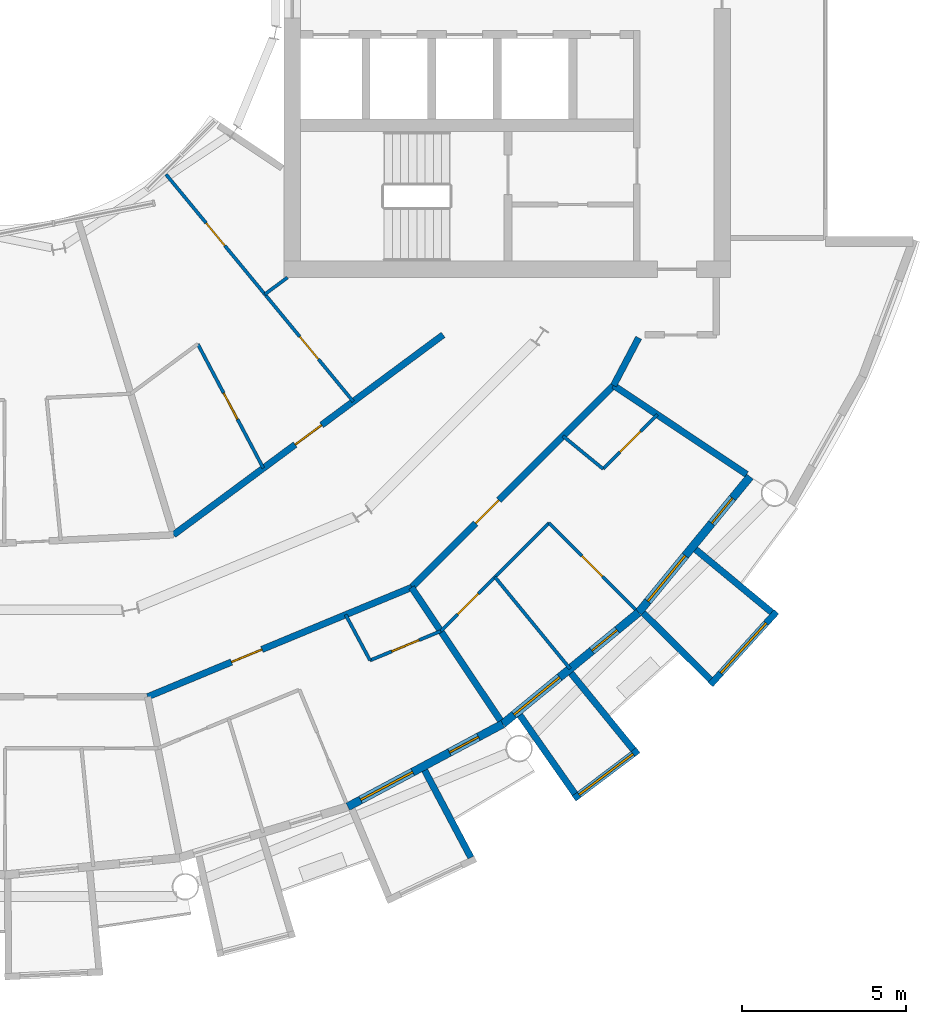
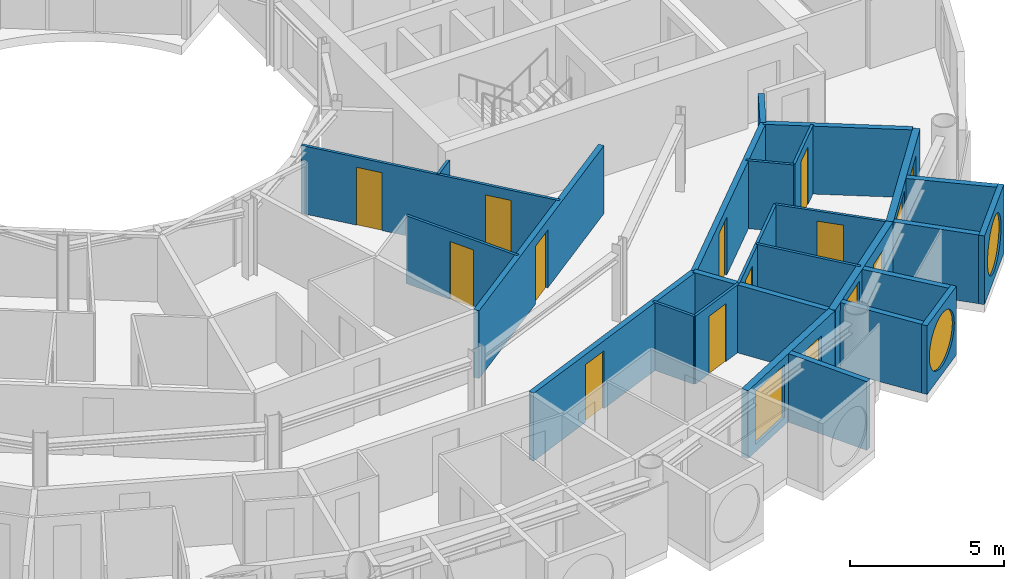
# One storey, part 17 of 27: 26 walls, 13 doors, 5 windows, 18 openings.
"""IFC4 building model written with IfcOpenShell, lengths in metres."""

from ifc_helpers import new_model, si_unit, direction, frame, frame_2d, origin, place, context, subcontext, project, spatial, rectangle, circle, extrude, material, layer, layer_set, type_object, element, fill, save


model = new_model("IFC4")

# Units and contexts
model_context = context("Model", 3, precision=1e-05, world=origin(), true_north=direction((0.0, 1.0)))
body_context = subcontext(model_context, "Body", "Model", "MODEL_VIEW")
ifc_project = project(units=[si_unit("LENGTHUNIT", "METRE"), si_unit("AREAUNIT", "SQUARE_METRE"), si_unit("VOLUMEUNIT", "CUBIC_METRE"), si_unit("PLANEANGLEUNIT", "RADIAN"), si_unit("MASSUNIT", "GRAM", prefix="KILO")], contexts=[model_context])

# Site, building, storey
site_placement = place(None, origin())
site = spatial("IfcSite", under=ifc_project, at=site_placement, CompositionType="ELEMENT")
building_placement = place(site_placement, origin())
building = spatial("IfcBuilding", under=site, at=building_placement, Name="Maasbend Ring Residences", CompositionType="ELEMENT")
storey_placement = place(building_placement, frame((0.0, 0.0, 167.699951171875)))
storey = spatial("IfcBuildingStorey", under=building, at=storey_placement, Name="L48", CompositionType="ELEMENT", Elevation=167.699951171875)

# Wall
ifc_material_1 = material(Name="Concrete C30/37", Category="concrete")
ifc_layer_1 = layer(ifc_material_1, 0.199951171875)
ifc_layer_set_1 = layer_set([ifc_layer_1], Name="Concrete C30/37")
wall_type_1 = type_object("IfcWallType", Name="CORRIDOR WALL 200 CONCRETE", PredefinedType="PARTITIONING", material=ifc_layer_set_1)
wall_1_placement = place(storey_placement, frame((18.5419921875, -12.388916015625, 0.0), z_axis=(0.0, 0.0, 1.0), x_axis=(0.465605550524, 0.884992356646, 0.0)))
element("IfcWall", 1, at=wall_1_placement, inside=storey, type_object=wall_type_1, Name="U-L48-w012", PredefinedType="PARTITIONING", context=body_context, shape_type="SweptSolid", body=[
    extrude(rectangle(XDim=1.642822265625, YDim=0.199951171875, at=frame_2d((0.8212890625, 0.0))), origin(), (0.0, 0.0, 1.0), 2.699951171875),
])

# Wall, opening, door
wall_2_placement = place(storey_placement, frame((4.35107421875, -21.8720703125, 0.0), z_axis=(0.0, 0.0, 1.0), x_axis=(0.923825356298, 0.382814199136, 0.0)))
wall_2 = element("IfcWall", 2, at=wall_2_placement, inside=storey, type_object=wall_type_1, Name="U-L48-w016", PredefinedType="PARTITIONING", context=body_context, shape_type="SweptSolid", body=[
    extrude(rectangle(XDim=8.7041015625, YDim=0.199951171875, at=frame_2d((4.35205078125, 0.0))), origin(), (0.0, 0.0, 1.0), 2.699951171875),
])
opening_1_placement = place(wall_2_placement, frame((2.762939453125, 0.0, 0.0)))
opening_1 = element("IfcOpeningElement", 3, at=opening_1_placement, cuts=wall_2, Name="Opening D-4846", PredefinedType="OPENING", context=body_context, shape_type="SweptSolid", body=[
    extrude(rectangle(XDim=1.0, YDim=2.300048828125, at=frame_2d((0.5, 1.14990234375))), frame((0.0, 0.10986328125, 0.0), z_axis=(0.0, -1.0, 0.0), x_axis=(1.0, 0.0, 0.0)), (0.0, 0.0, 1.0), 0.219970703125),
])
ifc_material_2 = material(Name="Timber, fire-rated, painted", Category="wood")
door_type_1 = type_object("IfcDoorType", Name="FLAT ENTRANCE DOOR 1000 X 2300 FIRE-RATED", OperationType="NOTDEFINED", PredefinedType="DOOR", material=ifc_material_2)
door_1_placement = place(opening_1_placement, origin())
door_1 = element("IfcDoor", 4, at=door_1_placement, inside=storey, type_object=door_type_1, Name="D-4846", OperationType="SINGLE_SWING_LEFT", OverallHeight=2.300048828125, OverallWidth=1.0, PredefinedType="DOOR", context=body_context, shape_type="SweptSolid", body=[
    extrude(rectangle(XDim=1.0, YDim=2.300048828125, at=frame_2d((0.5, 1.14990234375))), frame((0.0, 0.02490234375, 0.0), z_axis=(0.0, -1.0, 0.0), x_axis=(1.0, 0.0, 0.0)), (0.0, 0.0, 1.0), 0.050048828125),
])
fill(opening_1, door_1)

wall_3_placement = place(storey_placement, frame((12.388916015625, -18.5419921875, 0.0), z_axis=(0.0, 0.0, 1.0), x_axis=(0.707106781187, 0.707106781187, 0.0)))
wall_3 = element("IfcWall", 5, at=wall_3_placement, inside=storey, type_object=wall_type_1, Name="U-L48-w017", PredefinedType="PARTITIONING", context=body_context, shape_type="SweptSolid", body=[
    extrude(rectangle(XDim=8.70166015625, YDim=0.199951171875, at=frame_2d((4.350830078125, 0.0))), origin(), (0.0, 0.0, 1.0), 2.699951171875),
])
opening_2_placement = place(wall_3_placement, frame((2.762939453125, 0.0, 0.0)))
opening_2 = element("IfcOpeningElement", 6, at=opening_2_placement, cuts=wall_3, Name="Opening D-4850", PredefinedType="OPENING", context=body_context, shape_type="SweptSolid", body=[
    extrude(rectangle(XDim=1.0, YDim=2.300048828125, at=frame_2d((0.5, 1.14990234375))), frame((0.0, 0.10986328125, 0.0), z_axis=(0.0, -1.0, 0.0), x_axis=(1.0, 0.0, 0.0)), (0.0, 0.0, 1.0), 0.219970703125),
])
door_2_placement = place(opening_2_placement, origin())
door_2 = element("IfcDoor", 7, at=door_2_placement, inside=storey, type_object=door_type_1, Name="D-4850", OperationType="SINGLE_SWING_LEFT", OverallHeight=2.300048828125, OverallWidth=1.0, PredefinedType="DOOR", context=body_context, shape_type="SweptSolid", body=[
    extrude(rectangle(XDim=1.0, YDim=2.300048828125, at=frame_2d((0.5, 1.14990234375))), frame((0.0, 0.02490234375, 0.0), z_axis=(0.0, -1.0, 0.0), x_axis=(1.0, 0.0, 0.0)), (0.0, 0.0, 1.0), 0.050048828125),
])
fill(opening_2, door_2)

wall_4_placement = place(storey_placement, frame((5.136962890625, -16.93798828125, 0.0), z_axis=(0.0, 0.0, 1.0), x_axis=(0.803229232922, 0.595670042371, 0.0)))
wall_4 = element("IfcWall", 8, at=wall_4_placement, inside=storey, type_object=wall_type_1, Name="U-L48-w021", PredefinedType="PARTITIONING", context=body_context, shape_type="SweptSolid", body=[
    extrude(rectangle(XDim=10.223876953125, YDim=0.199951171875, at=frame_2d((5.11181640625, 0.0))), origin(), (0.0, 0.0, 1.0), 2.699951171875),
])
opening_3_placement = place(wall_4_placement, frame((4.612060546875, 0.0, 0.0)))
opening_3 = element("IfcOpeningElement", 9, at=opening_3_placement, cuts=wall_4, Name="Opening D-4861", PredefinedType="OPENING", context=body_context, shape_type="SweptSolid", body=[
    extrude(rectangle(XDim=1.0, YDim=2.300048828125, at=frame_2d((0.5, 1.14990234375))), frame((0.0, 0.10986328125, 0.0), z_axis=(0.0, -1.0, 0.0), x_axis=(1.0, 0.0, 0.0)), (0.0, 0.0, 1.0), 0.219970703125),
])
door_3_placement = place(opening_3_placement, origin())
door_3 = element("IfcDoor", 10, at=door_3_placement, inside=storey, type_object=door_type_1, Name="D-4861", OperationType="SINGLE_SWING_RIGHT", OverallHeight=2.300048828125, OverallWidth=1.0, PredefinedType="DOOR", context=body_context, shape_type="SweptSolid", body=[
    extrude(rectangle(XDim=1.0, YDim=2.300048828125, at=frame_2d((0.5, 1.14990234375))), frame((0.0, 0.02490234375, 0.0), z_axis=(0.0, -1.0, 0.0), x_axis=(1.0, 0.0, 0.0)), (0.0, 0.0, 1.0), 0.050048828125),
])
fill(opening_3, door_3)

# Wall
ifc_material_3 = material(Name="Pale anodised aluminium panel", Category="aluminium")
ifc_layer_2 = layer(ifc_material_3, 0.199951171875)
ifc_layer_set_2 = layer_set([ifc_layer_2], Name="EW-BOX")
wall_type_2 = type_object("IfcWallType", Name="EW-BOX", PredefinedType="SOLIDWALL", material=ifc_layer_set_2)
wall_5_placement = place(storey_placement, frame((12.787109375, -24.113037109375, -0.030029296875), z_axis=(0.0, 0.0, 1.0), x_axis=(0.468365282436, -0.883534924159, 0.0)))
element("IfcWall", 11, at=wall_5_placement, inside=storey, type_object=wall_type_2, Name="Box side wall S15 right", PredefinedType="SOLIDWALL", context=body_context, shape_type="SweptSolid", body=[
    extrude(rectangle(XDim=3.006103515625, YDim=0.199951171875, at=frame_2d((1.5029296875, 0.0))), origin(), (0.0, 0.0, 1.0), 2.72998046875),
])

# Wall, opening, window
wall_6_placement = place(storey_placement, frame((17.3369140625, -24.971923828125, -0.030029296875), z_axis=(0.0, 0.0, 1.0), x_axis=(0.797887588059, 0.602806268067, 0.0)))
wall_6 = element("IfcWall", 12, at=wall_6_placement, inside=storey, type_object=wall_type_2, Name="Box front S17", PredefinedType="SOLIDWALL", context=body_context, shape_type="SweptSolid", body=[
    extrude(rectangle(XDim=2.446533203125, YDim=0.199951171875, at=frame_2d((1.22314453125, 0.0))), origin(), (0.0, 0.0, 1.0), 2.72998046875),
])
opening_4_placement = place(wall_6_placement, frame((0.182861328125, 0.0, 0.330078125)))
opening_4 = element("IfcOpeningElement", 13, at=opening_4_placement, cuts=wall_6, Name="Opening W-RD", PredefinedType="OPENING", context=body_context, shape_type="SweptSolid", body=[
    extrude(circle(Radius=1.0400390625, at=frame_2d((1.0400390625, 1.0400390625))), frame((0.0, 0.10986328125, 0.0), z_axis=(0.0, -1.0, 0.0), x_axis=(1.0, 0.0, 0.0)), (0.0, 0.0, 1.0), 0.219970703125),
])
ifc_material_4 = material(Name="Aluminium and clear glass", Category="aluminium")
window_type_1 = type_object("IfcWindowType", Name="W-RD", PartitioningType="SINGLE_PANEL", PredefinedType="WINDOW", material=ifc_material_4)
window_1_placement = place(opening_4_placement, origin())
window_1 = element("IfcWindow", 14, at=window_1_placement, inside=storey, type_object=window_type_1, Name="Round window S17", OverallHeight=2.080078125, OverallWidth=2.080078125, PartitioningType="SINGLE_PANEL", PredefinedType="WINDOW", context=body_context, shape_type="SweptSolid", body=[
    extrude(circle(Radius=1.0400390625, at=frame_2d((1.0400390625, 1.0400390625))), frame((0.0, 0.030029296875, 0.0), z_axis=(0.0, -1.0, 0.0), x_axis=(1.0, 0.0, 0.0)), (0.0, 0.0, 1.0), 0.06005859375),
])
fill(opening_4, window_1)

# Walls
wall_7_placement = place(storey_placement, frame((15.68798828125, -22.43310546875, -0.030029296875), z_axis=(0.0, 0.0, 1.0), x_axis=(0.573260687834, -0.819373043115, 0.0)))
element("IfcWall", 15, at=wall_7_placement, inside=storey, type_object=wall_type_2, Name="Box side wall S17 left", PredefinedType="SOLIDWALL", context=body_context, shape_type="SweptSolid", body=[
    extrude(rectangle(XDim=2.92529296875, YDim=0.199951171875, at=frame_2d((1.462646484375, 0.0))), origin(), (0.0, 0.0, 1.0), 2.72998046875),
])
wall_8_placement = place(storey_placement, frame((17.24609375, -21.155029296875, -0.030029296875), z_axis=(0.0, 0.0, 1.0), x_axis=(0.631741648902, -0.775179004516, 0.0)))
element("IfcWall", 16, at=wall_8_placement, inside=storey, type_object=wall_type_2, Name="Box side wall S17 right", PredefinedType="SOLIDWALL", context=body_context, shape_type="SweptSolid", body=[
    extrude(rectangle(XDim=3.005859375, YDim=0.199951171875, at=frame_2d((1.5029296875, 0.0))), origin(), (0.0, 0.0, 1.0), 2.72998046875),
])

# Wall, opening, window
wall_9_placement = place(storey_placement, frame((21.492919921875, -21.5, -0.030029296875), z_axis=(0.0, 0.0, 1.0), x_axis=(0.671506829416, 0.740998365753, 0.0)))
wall_9 = element("IfcWall", 17, at=wall_9_placement, inside=storey, type_object=wall_type_2, Name="Box front S19", PredefinedType="SOLIDWALL", context=body_context, shape_type="SweptSolid", body=[
    extrude(rectangle(XDim=2.9931640625, YDim=0.199951171875, at=frame_2d((1.49658203125, 0.0))), origin(), (0.0, 0.0, 1.0), 2.72998046875),
])
opening_5_placement = place(wall_9_placement, frame((0.45654296875, 0.0, 0.330078125)))
opening_5 = element("IfcOpeningElement", 18, at=opening_5_placement, cuts=wall_9, Name="Opening W-RD", PredefinedType="OPENING", context=body_context, shape_type="SweptSolid", body=[
    extrude(circle(Radius=1.0400390625, at=frame_2d((1.0400390625, 1.0400390625))), frame((0.0, 0.10986328125, 0.0), z_axis=(0.0, -1.0, 0.0), x_axis=(1.0, 0.0, 0.0)), (0.0, 0.0, 1.0), 0.219970703125),
])
window_2_placement = place(opening_5_placement, origin())
window_2 = element("IfcWindow", 19, at=window_2_placement, inside=storey, type_object=window_type_1, Name="Round window S19", OverallHeight=2.080078125, OverallWidth=2.080078125, PartitioningType="SINGLE_PANEL", PredefinedType="WINDOW", context=body_context, shape_type="SweptSolid", body=[
    extrude(circle(Radius=1.0400390625, at=frame_2d((1.0400390625, 1.0400390625))), frame((0.0, 0.030029296875, 0.0), z_axis=(0.0, -1.0, 0.0), x_axis=(1.0, 0.0, 0.0)), (0.0, 0.0, 1.0), 0.06005859375),
])
fill(opening_5, window_2)

# Walls
wall_10_placement = place(storey_placement, frame((19.449951171875, -19.322998046875, -0.030029296875), z_axis=(0.0, 0.0, 1.0), x_axis=(0.709727076896, -0.704476739375, 0.0)))
element("IfcWall", 20, at=wall_10_placement, inside=storey, type_object=wall_type_2, Name="Box side wall S19 left", PredefinedType="SOLIDWALL", context=body_context, shape_type="SweptSolid", body=[
    extrude(rectangle(XDim=2.883056640625, YDim=0.199951171875, at=frame_2d((1.44140625, 0.0))), origin(), (0.0, 0.0, 1.0), 2.72998046875),
])
wall_11_placement = place(storey_placement, frame((21.041015625, -17.384033203125, -0.030029296875), z_axis=(0.0, 0.0, 1.0), x_axis=(0.770784861449, -0.63709551667, 0.0)))
element("IfcWall", 21, at=wall_11_placement, inside=storey, type_object=wall_type_2, Name="Box side wall S19 right", PredefinedType="SOLIDWALL", context=body_context, shape_type="SweptSolid", body=[
    extrude(rectangle(XDim=3.005859375, YDim=0.199951171875, at=frame_2d((1.5029296875, 0.0))), origin(), (0.0, 0.0, 1.0), 2.72998046875),
])

# Wall, openings, door, window
ifc_material_5 = material(Name="Aluminium clad insulated panel", Category="aluminium")
ifc_layer_3 = layer(ifc_material_5, 0.25)
ifc_layer_set_3 = layer_set([ifc_layer_3], Name="EW-GL")
wall_type_3 = type_object("IfcWallType", Name="EW-GL", PredefinedType="SOLIDWALL", material=ifc_layer_set_3)
wall_12_placement = place(storey_placement, frame((10.447021484375, -25.221923828125, 0.0), z_axis=(0.0, 0.0, 1.0), x_axis=(0.881915646801, 0.471407246368, 0.0)))
wall_12 = element("IfcWall", 22, at=wall_12_placement, inside=storey, type_object=wall_type_3, Name="External wall S08", PredefinedType="SOLIDWALL", context=body_context, shape_type="SweptSolid", body=[
    extrude(rectangle(XDim=5.35205078125, YDim=0.25, at=frame_2d((2.676025390625, 0.0))), origin(), (0.0, 0.0, 1.0), 2.699951171875),
])
opening_6_placement = place(wall_12_placement, frame((0.441162109375, 0.0, 0.300048828125)))
opening_6 = element("IfcOpeningElement", 23, at=opening_6_placement, cuts=wall_12, Name="Opening W-BX", PredefinedType="OPENING", context=body_context, shape_type="SweptSolid", body=[
    extrude(rectangle(XDim=1.800048828125, YDim=2.10009765625, at=frame_2d((0.89990234375, 1.050048828125))), frame((0.0, 0.135009765625, 0.0), z_axis=(0.0, -1.0, 0.0), x_axis=(1.0, 0.0, 0.0)), (0.0, 0.0, 1.0), 0.27001953125),
])
opening_7_placement = place(wall_12_placement, frame((3.510498046875, 0.0, 0.0)))
opening_7 = element("IfcOpeningElement", 24, at=opening_7_placement, cuts=wall_12, Name="Opening D-LG", PredefinedType="OPENING", context=body_context, shape_type="SweptSolid", body=[
    extrude(rectangle(XDim=1.0, YDim=2.199951171875, at=frame_2d((0.5, 1.10009765625))), frame((0.0, 0.135009765625, 0.0), z_axis=(0.0, -1.0, 0.0), x_axis=(1.0, 0.0, 0.0)), (0.0, 0.0, 1.0), 0.27001953125),
])
ifc_material_6 = material(Name="Aluminium and clear glass", Category="aluminium")
door_type_2 = type_object("IfcDoorType", Name="D-LG", OperationType="SINGLE_SWING_LEFT", PredefinedType="DOOR", material=ifc_material_6)
door_4_placement = place(opening_7_placement, origin())
door_4 = element("IfcDoor", 25, at=door_4_placement, inside=storey, type_object=door_type_2, Name="Loggia door S16", OperationType="SINGLE_SWING_LEFT", OverallHeight=2.199951171875, OverallWidth=1.0, PredefinedType="DOOR", context=body_context, shape_type="SweptSolid", body=[
    extrude(rectangle(XDim=1.0, YDim=2.199951171875, at=frame_2d((0.5, 1.10009765625))), frame((0.0, 0.02490234375, 0.0), z_axis=(0.0, -1.0, 0.0), x_axis=(1.0, 0.0, 0.0)), (0.0, 0.0, 1.0), 0.050048828125),
])
fill(opening_7, door_4)
ifc_material_7 = material(Name="Aluminium and clear glass", Category="aluminium")
window_type_2 = type_object("IfcWindowType", Name="W-BX", PartitioningType="DOUBLE_PANEL_VERTICAL", PredefinedType="WINDOW", material=ifc_material_7)
window_3_placement = place(opening_6_placement, origin())
window_3 = element("IfcWindow", 26, at=window_3_placement, inside=storey, type_object=window_type_2, Name="Window S15 room to box", OverallHeight=2.10009765625, OverallWidth=1.800048828125, PartitioningType="SINGLE_PANEL", PredefinedType="WINDOW", context=body_context, shape_type="SweptSolid", body=[
    extrude(rectangle(XDim=1.800048828125, YDim=2.10009765625, at=frame_2d((0.89990234375, 1.050048828125))), frame((0.0, 0.030029296875, 0.0), z_axis=(0.0, -1.0, 0.0), x_axis=(1.0, 0.0, 0.0)), (0.0, 0.0, 1.0), 0.06005859375),
])
fill(opening_6, window_3)

wall_13_placement = place(storey_placement, frame((15.1669921875, -22.698974609375, 0.0), z_axis=(0.0, 0.0, 1.0), x_axis=(0.773019449054, 0.634382322723, 0.0)))
wall_13 = element("IfcWall", 27, at=wall_13_placement, inside=storey, type_object=wall_type_3, Name="External wall S09", PredefinedType="SOLIDWALL", context=body_context, shape_type="SweptSolid", body=[
    extrude(rectangle(XDim=5.351806640625, YDim=0.25, at=frame_2d((2.67578125, 0.0))), origin(), (0.0, 0.0, 1.0), 2.699951171875),
])
opening_8_placement = place(wall_13_placement, frame((0.441162109375, 0.0, 0.300048828125)))
opening_8 = element("IfcOpeningElement", 28, at=opening_8_placement, cuts=wall_13, Name="Opening W-BX", PredefinedType="OPENING", context=body_context, shape_type="SweptSolid", body=[
    extrude(rectangle(XDim=1.800048828125, YDim=2.10009765625, at=frame_2d((0.89990234375, 1.050048828125))), frame((0.0, 0.135009765625, 0.0), z_axis=(0.0, -1.0, 0.0), x_axis=(1.0, 0.0, 0.0)), (0.0, 0.0, 1.0), 0.27001953125),
])
opening_9_placement = place(wall_13_placement, frame((3.510498046875, 0.0, 0.0)))
opening_9 = element("IfcOpeningElement", 29, at=opening_9_placement, cuts=wall_13, Name="Opening D-LG", PredefinedType="OPENING", context=body_context, shape_type="SweptSolid", body=[
    extrude(rectangle(XDim=1.0, YDim=2.199951171875, at=frame_2d((0.5, 1.10009765625))), frame((0.0, 0.135009765625, 0.0), z_axis=(0.0, -1.0, 0.0), x_axis=(1.0, 0.0, 0.0)), (0.0, 0.0, 1.0), 0.27001953125),
])
door_5_placement = place(opening_9_placement, origin())
door_5 = element("IfcDoor", 30, at=door_5_placement, inside=storey, type_object=door_type_2, Name="Loggia door S18", OperationType="SINGLE_SWING_LEFT", OverallHeight=2.199951171875, OverallWidth=1.0, PredefinedType="DOOR", context=body_context, shape_type="SweptSolid", body=[
    extrude(rectangle(XDim=1.0, YDim=2.199951171875, at=frame_2d((0.5, 1.10009765625))), frame((0.0, 0.02490234375, 0.0), z_axis=(0.0, -1.0, 0.0), x_axis=(1.0, 0.0, 0.0)), (0.0, 0.0, 1.0), 0.050048828125),
])
fill(opening_9, door_5)
window_4_placement = place(opening_8_placement, origin())
window_4 = element("IfcWindow", 31, at=window_4_placement, inside=storey, type_object=window_type_2, Name="Window S17 room to box", OverallHeight=2.10009765625, OverallWidth=1.800048828125, PartitioningType="SINGLE_PANEL", PredefinedType="WINDOW", context=body_context, shape_type="SweptSolid", body=[
    extrude(rectangle(XDim=1.800048828125, YDim=2.10009765625, at=frame_2d((0.89990234375, 1.050048828125))), frame((0.0, 0.030029296875, 0.0), z_axis=(0.0, -1.0, 0.0), x_axis=(1.0, 0.0, 0.0)), (0.0, 0.0, 1.0), 0.06005859375),
])
fill(opening_8, window_4)

wall_14_placement = place(storey_placement, frame((19.303955078125, -19.303955078125, 0.0), z_axis=(0.0, 0.0, 1.0), x_axis=(0.634382322723, 0.773019449054, 0.0)))
wall_14 = element("IfcWall", 32, at=wall_14_placement, inside=storey, type_object=wall_type_3, Name="External wall S10", PredefinedType="SOLIDWALL", context=body_context, shape_type="SweptSolid", body=[
    extrude(rectangle(XDim=5.351806640625, YDim=0.25, at=frame_2d((2.67578125, 0.0))), origin(), (0.0, 0.0, 1.0), 2.699951171875),
])
opening_10_placement = place(wall_14_placement, frame((0.441162109375, 0.0, 0.300048828125)))
opening_10 = element("IfcOpeningElement", 33, at=opening_10_placement, cuts=wall_14, Name="Opening W-BX", PredefinedType="OPENING", context=body_context, shape_type="SweptSolid", body=[
    extrude(rectangle(XDim=1.800048828125, YDim=2.10009765625, at=frame_2d((0.89990234375, 1.050048828125))), frame((0.0, 0.135009765625, 0.0), z_axis=(0.0, -1.0, 0.0), x_axis=(1.0, 0.0, 0.0)), (0.0, 0.0, 1.0), 0.27001953125),
])
opening_11_placement = place(wall_14_placement, frame((3.510498046875, 0.0, 0.0)))
opening_11 = element("IfcOpeningElement", 34, at=opening_11_placement, cuts=wall_14, Name="Opening D-LG", PredefinedType="OPENING", context=body_context, shape_type="SweptSolid", body=[
    extrude(rectangle(XDim=1.0, YDim=2.199951171875, at=frame_2d((0.5, 1.10009765625))), frame((0.0, 0.135009765625, 0.0), z_axis=(0.0, -1.0, 0.0), x_axis=(1.0, 0.0, 0.0)), (0.0, 0.0, 1.0), 0.27001953125),
])
door_6_placement = place(opening_11_placement, origin())
door_6 = element("IfcDoor", 35, at=door_6_placement, inside=storey, type_object=door_type_2, Name="Loggia door S20", OperationType="SINGLE_SWING_LEFT", OverallHeight=2.199951171875, OverallWidth=1.0, PredefinedType="DOOR", context=body_context, shape_type="SweptSolid", body=[
    extrude(rectangle(XDim=1.0, YDim=2.199951171875, at=frame_2d((0.5, 1.10009765625))), frame((0.0, 0.02490234375, 0.0), z_axis=(0.0, -1.0, 0.0), x_axis=(1.0, 0.0, 0.0)), (0.0, 0.0, 1.0), 0.050048828125),
])
fill(opening_11, door_6)
window_5_placement = place(opening_10_placement, origin())
window_5 = element("IfcWindow", 36, at=window_5_placement, inside=storey, type_object=window_type_2, Name="Window S19 room to box", OverallHeight=2.10009765625, OverallWidth=1.800048828125, PartitioningType="SINGLE_PANEL", PredefinedType="WINDOW", context=body_context, shape_type="SweptSolid", body=[
    extrude(rectangle(XDim=1.800048828125, YDim=2.10009765625, at=frame_2d((0.89990234375, 1.050048828125))), frame((0.0, 0.030029296875, 0.0), z_axis=(0.0, -1.0, 0.0), x_axis=(1.0, 0.0, 0.0)), (0.0, 0.0, 1.0), 0.06005859375),
])
fill(opening_10, window_5)

# Wall, opening, door
ifc_material_8 = material(Name="Gypsum board on steel studs", Category="steel")
ifc_layer_4 = layer(ifc_material_8, 0.10009765625)
ifc_layer_set_4 = layer_set([ifc_layer_4], Name="PARTITION 100 GYPSUM")
wall_type_4 = type_object("IfcWallType", Name="PARTITION 100 GYPSUM", PredefinedType="PARTITIONING", material=ifc_layer_set_4)
wall_15_placement = place(storey_placement, frame((11.1240234375, -20.763916015625, 0.0), z_axis=(0.0, 0.0, 1.0), x_axis=(0.923938991376, 0.382539854414, 0.0)))
wall_15 = element("IfcWall", 37, at=wall_15_placement, inside=storey, type_object=wall_type_4, Name="U-L48-w008", PredefinedType="PARTITIONING", context=body_context, shape_type="SweptSolid", body=[
    extrude(rectangle(XDim=2.331298828125, YDim=0.10009765625, at=frame_2d((1.16552734375, 0.0))), origin(), (0.0, 0.0, 1.0), 2.699951171875),
])
opening_12_placement = place(wall_15_placement, frame((0.716064453125, 0.0, 0.0)))
opening_12 = element("IfcOpeningElement", 38, at=opening_12_placement, cuts=wall_15, Name="Opening D-4847", PredefinedType="OPENING", context=body_context, shape_type="SweptSolid", body=[
    extrude(rectangle(XDim=0.89990234375, YDim=2.300048828125, at=frame_2d((0.449951171875, 1.14990234375))), frame((0.0, 0.06005859375, 0.0), z_axis=(0.0, -1.0, 0.0), x_axis=(1.0, 0.0, 0.0)), (0.0, 0.0, 1.0), 0.1201171875),
])
ifc_material_9 = material(Name="Timber, painted", Category="wood")
door_type_3 = type_object("IfcDoorType", Name="INTERNAL DOOR 900 X 2300", OperationType="NOTDEFINED", PredefinedType="DOOR", material=ifc_material_9)
door_7_placement = place(opening_12_placement, origin())
door_7 = element("IfcDoor", 39, at=door_7_placement, inside=storey, type_object=door_type_3, Name="D-4847", OperationType="SINGLE_SWING_RIGHT", OverallHeight=2.300048828125, OverallWidth=0.89990234375, PredefinedType="DOOR", context=body_context, shape_type="SweptSolid", body=[
    extrude(rectangle(XDim=0.89990234375, YDim=2.300048828125, at=frame_2d((0.449951171875, 1.14990234375))), frame((0.0, 0.02490234375, 0.0), z_axis=(0.0, -1.0, 0.0), x_axis=(1.0, 0.0, 0.0)), (0.0, 0.0, 1.0), 0.050048828125),
])
fill(opening_12, door_7)

wall_16_placement = place(storey_placement, frame((13.284912109375, -19.868896484375, 0.0), z_axis=(0.0, 0.0, 1.0), x_axis=(0.706923494552, 0.707290020325, 0.0)))
wall_16 = element("IfcWall", 40, at=wall_16_placement, inside=storey, type_object=wall_type_4, Name="U-L48-w009", PredefinedType="PARTITIONING", context=body_context, shape_type="SweptSolid", body=[
    extrude(rectangle(XDim=4.66259765625, YDim=0.10009765625, at=frame_2d((2.331298828125, 0.0))), origin(), (0.0, 0.0, 1.0), 2.699951171875),
])
opening_13_placement = place(wall_16_placement, frame((0.7119140625, 0.0, 0.0)))
opening_13 = element("IfcOpeningElement", 41, at=opening_13_placement, cuts=wall_16, Name="Opening D-4853", PredefinedType="OPENING", context=body_context, shape_type="SweptSolid", body=[
    extrude(rectangle(XDim=0.89990234375, YDim=2.300048828125, at=frame_2d((0.449951171875, 1.14990234375))), frame((0.0, 0.06005859375, 0.0), z_axis=(0.0, -1.0, 0.0), x_axis=(1.0, 0.0, 0.0)), (0.0, 0.0, 1.0), 0.1201171875),
])
door_8_placement = place(opening_13_placement, origin())
door_8 = element("IfcDoor", 42, at=door_8_placement, inside=storey, type_object=door_type_3, Name="D-4853", OperationType="SINGLE_SWING_LEFT", OverallHeight=2.300048828125, OverallWidth=0.89990234375, PredefinedType="DOOR", context=body_context, shape_type="SweptSolid", body=[
    extrude(rectangle(XDim=0.89990234375, YDim=2.300048828125, at=frame_2d((0.449951171875, 1.14990234375))), frame((0.0, 0.02490234375, 0.0), z_axis=(0.0, -1.0, 0.0), x_axis=(1.0, 0.0, 0.0)), (0.0, 0.0, 1.0), 0.050048828125),
])
fill(opening_13, door_8)

wall_17_placement = place(storey_placement, frame((18.22412109375, -14.927001953125, 0.0), z_axis=(0.0, 0.0, 1.0), x_axis=(0.706897299114, 0.707316201218, 0.0)))
wall_17 = element("IfcWall", 43, at=wall_17_placement, inside=storey, type_object=wall_type_4, Name="U-L48-w010", PredefinedType="PARTITIONING", context=body_context, shape_type="SweptSolid", body=[
    extrude(rectangle(XDim=2.331298828125, YDim=0.10009765625, at=frame_2d((1.16552734375, 0.0))), origin(), (0.0, 0.0, 1.0), 2.699951171875),
])
opening_14_placement = place(wall_17_placement, frame((0.716064453125, 0.0, 0.0)))
opening_14 = element("IfcOpeningElement", 44, at=opening_14_placement, cuts=wall_17, Name="Opening D-4851", PredefinedType="OPENING", context=body_context, shape_type="SweptSolid", body=[
    extrude(rectangle(XDim=0.89990234375, YDim=2.300048828125, at=frame_2d((0.449951171875, 1.14990234375))), frame((0.0, 0.06005859375, 0.0), z_axis=(0.0, -1.0, 0.0), x_axis=(1.0, 0.0, 0.0)), (0.0, 0.0, 1.0), 0.1201171875),
])
door_9_placement = place(opening_14_placement, origin())
door_9 = element("IfcDoor", 45, at=door_9_placement, inside=storey, type_object=door_type_3, Name="D-4851", OperationType="SINGLE_SWING_RIGHT", OverallHeight=2.300048828125, OverallWidth=0.89990234375, PredefinedType="DOOR", context=body_context, shape_type="SweptSolid", body=[
    extrude(rectangle(XDim=0.89990234375, YDim=2.300048828125, at=frame_2d((0.449951171875, 1.14990234375))), frame((0.0, 0.02490234375, 0.0), z_axis=(0.0, -1.0, 0.0), x_axis=(1.0, 0.0, 0.0)), (0.0, 0.0, 1.0), 0.050048828125),
])
fill(opening_14, door_9)

# Wall
wall_18_placement = place(storey_placement, frame((7.9189453125, -9.611083984375, 0.0), z_axis=(0.0, 0.0, 1.0), x_axis=(0.803199066515, 0.595710718007, 0.0)))
element("IfcWall", 46, at=wall_18_placement, inside=storey, type_object=wall_type_4, Name="U-L48-w026", PredefinedType="PARTITIONING", context=body_context, shape_type="SweptSolid", body=[
    extrude(rectangle(XDim=0.857666015625, YDim=0.10009765625, at=frame_2d((0.4287109375, 0.0))), origin(), (0.0, 0.0, 1.0), 2.699951171875),
])

# Wall, openings, doors
wall_19_placement = place(storey_placement, frame((4.907958984375, -5.958984375, 0.0), z_axis=(0.0, 0.0, 1.0), x_axis=(0.636115614725, -0.771593756262, 0.0)))
wall_19 = element("IfcWall", 47, at=wall_19_placement, inside=storey, type_object=wall_type_4, Name="U-L48-w075", PredefinedType="PARTITIONING", context=body_context, shape_type="SweptSolid", body=[
    extrude(rectangle(XDim=8.967041015625, YDim=0.10009765625, at=frame_2d((4.4833984375, 0.0))), origin(), (0.0, 0.0, 1.0), 2.699951171875),
])
opening_15_placement = place(wall_19_placement, frame((6.39990234375, 0.0, 0.0)))
opening_15 = element("IfcOpeningElement", 48, at=opening_15_placement, cuts=wall_19, Name="Opening D-4863", PredefinedType="OPENING", context=body_context, shape_type="SweptSolid", body=[
    extrude(rectangle(XDim=0.89990234375, YDim=2.300048828125, at=frame_2d((0.449951171875, 1.14990234375))), frame((0.0, 0.06005859375, 0.0), z_axis=(0.0, -1.0, 0.0), x_axis=(1.0, 0.0, 0.0)), (0.0, 0.0, 1.0), 0.1201171875),
])
opening_16_placement = place(wall_19_placement, frame((1.9169921875, 0.0, 0.0)))
opening_16 = element("IfcOpeningElement", 49, at=opening_16_placement, cuts=wall_19, Name="Opening D-4864", PredefinedType="OPENING", context=body_context, shape_type="SweptSolid", body=[
    extrude(rectangle(XDim=0.89990234375, YDim=2.300048828125, at=frame_2d((0.449951171875, 1.14990234375))), frame((0.0, 0.06005859375, 0.0), z_axis=(0.0, -1.0, 0.0), x_axis=(1.0, 0.0, 0.0)), (0.0, 0.0, 1.0), 0.1201171875),
])
door_10_placement = place(opening_15_placement, origin())
door_10 = element("IfcDoor", 50, at=door_10_placement, inside=storey, type_object=door_type_3, Name="D-4863", OperationType="SINGLE_SWING_RIGHT", OverallHeight=2.300048828125, OverallWidth=0.89990234375, PredefinedType="DOOR", context=body_context, shape_type="SweptSolid", body=[
    extrude(rectangle(XDim=0.89990234375, YDim=2.300048828125, at=frame_2d((0.449951171875, 1.14990234375))), frame((0.0, 0.02490234375, 0.0), z_axis=(0.0, -1.0, 0.0), x_axis=(1.0, 0.0, 0.0)), (0.0, 0.0, 1.0), 0.050048828125),
])
fill(opening_15, door_10)
door_11_placement = place(opening_16_placement, origin())
door_11 = element("IfcDoor", 51, at=door_11_placement, inside=storey, type_object=door_type_3, Name="D-4864", OperationType="SINGLE_SWING_LEFT", OverallHeight=2.300048828125, OverallWidth=0.89990234375, PredefinedType="DOOR", context=body_context, shape_type="SweptSolid", body=[
    extrude(rectangle(XDim=0.89990234375, YDim=2.300048828125, at=frame_2d((0.449951171875, 1.14990234375))), frame((0.0, 0.02490234375, 0.0), z_axis=(0.0, -1.0, 0.0), x_axis=(1.0, 0.0, 0.0)), (0.0, 0.0, 1.0), 0.050048828125),
])
fill(opening_16, door_11)

# Wall, opening, door
wall_20_placement = place(storey_placement, frame((5.875, -11.1259765625, 0.0), z_axis=(0.0, 0.0, 1.0), x_axis=(0.467030118529, -0.884241408432, 0.0)))
wall_20 = element("IfcWall", 52, at=wall_20_placement, inside=storey, type_object=wall_type_4, Name="U-L48-w076", PredefinedType="PARTITIONING", context=body_context, shape_type="SweptSolid", body=[
    extrude(rectangle(XDim=4.278076171875, YDim=0.10009765625, at=frame_2d((2.13916015625, 0.0))), origin(), (0.0, 0.0, 1.0), 2.699951171875),
])
opening_17_placement = place(wall_20_placement, frame((1.68896484375, 0.0, 0.0)))
opening_17 = element("IfcOpeningElement", 53, at=opening_17_placement, cuts=wall_20, Name="Opening D-4862", PredefinedType="OPENING", context=body_context, shape_type="SweptSolid", body=[
    extrude(rectangle(XDim=0.89990234375, YDim=2.300048828125, at=frame_2d((0.449951171875, 1.14990234375))), frame((0.0, 0.06005859375, 0.0), z_axis=(0.0, -1.0, 0.0), x_axis=(1.0, 0.0, 0.0)), (0.0, 0.0, 1.0), 0.1201171875),
])
door_12_placement = place(opening_17_placement, origin())
door_12 = element("IfcDoor", 54, at=door_12_placement, inside=storey, type_object=door_type_3, Name="D-4862", OperationType="SINGLE_SWING_RIGHT", OverallHeight=2.300048828125, OverallWidth=0.89990234375, PredefinedType="DOOR", context=body_context, shape_type="SweptSolid", body=[
    extrude(rectangle(XDim=0.89990234375, YDim=2.300048828125, at=frame_2d((0.449951171875, 1.14990234375))), frame((0.0, 0.02490234375, 0.0), z_axis=(0.0, -1.0, 0.0), x_axis=(1.0, 0.0, 0.0)), (0.0, 0.0, 1.0), 0.050048828125),
])
fill(opening_17, door_12)

# Walls
wall_21_placement = place(storey_placement, frame((10.3798828125, -19.3740234375, 0.0), z_axis=(0.0, 0.0, 1.0), x_axis=(0.472002235476, -0.881597351236, 0.0)))
element("IfcWall", 55, at=wall_21_placement, inside=storey, type_object=wall_type_4, Name="U-L48-w083", PredefinedType="PARTITIONING", context=body_context, shape_type="SweptSolid", body=[
    extrude(rectangle(XDim=1.57666015625, YDim=0.10009765625, at=frame_2d((0.788330078125, 0.0))), origin(), (0.0, 0.0, 1.0), 2.699951171875),
])
wall_22_placement = place(storey_placement, frame((14.927001953125, -18.22412109375, 0.0), z_axis=(0.0, 0.0, 1.0), x_axis=(0.633737383709, -0.773548271597, 0.0)))
element("IfcWall", 56, at=wall_22_placement, inside=storey, type_object=wall_type_4, Name="U-L48-w087", PredefinedType="PARTITIONING", context=body_context, shape_type="SweptSolid", body=[
    extrude(rectangle(XDim=3.6181640625, YDim=0.10009765625, at=frame_2d((1.80908203125, 0.0))), origin(), (0.0, 0.0, 1.0), 2.699951171875),
])

# Wall, opening, door
wall_23_placement = place(storey_placement, frame((16.574951171875, -16.574951171875, 0.0), z_axis=(0.0, 0.0, 1.0), x_axis=(0.707106781187, -0.707106781187, 0.0)))
wall_23 = element("IfcWall", 57, at=wall_23_placement, inside=storey, type_object=wall_type_4, Name="U-L48-w088", PredefinedType="PARTITIONING", context=body_context, shape_type="SweptSolid", body=[
    extrude(rectangle(XDim=3.735107421875, YDim=0.10009765625, at=frame_2d((1.86767578125, 0.0))), origin(), (0.0, 0.0, 1.0), 2.699951171875),
])
opening_18_placement = place(wall_23_placement, frame((1.4169921875, 0.0, 0.0)))
opening_18 = element("IfcOpeningElement", 58, at=opening_18_placement, cuts=wall_23, Name="Opening D-4852", PredefinedType="OPENING", context=body_context, shape_type="SweptSolid", body=[
    extrude(rectangle(XDim=0.89990234375, YDim=2.300048828125, at=frame_2d((0.449951171875, 1.14990234375))), frame((0.0, 0.06005859375, 0.0), z_axis=(0.0, -1.0, 0.0), x_axis=(1.0, 0.0, 0.0)), (0.0, 0.0, 1.0), 0.1201171875),
])
door_13_placement = place(opening_18_placement, origin())
door_13 = element("IfcDoor", 59, at=door_13_placement, inside=storey, type_object=door_type_3, Name="D-4852", OperationType="SINGLE_SWING_RIGHT", OverallHeight=2.300048828125, OverallWidth=0.89990234375, PredefinedType="DOOR", context=body_context, shape_type="SweptSolid", body=[
    extrude(rectangle(XDim=0.89990234375, YDim=2.300048828125, at=frame_2d((0.449951171875, 1.14990234375))), frame((0.0, 0.02490234375, 0.0), z_axis=(0.0, -1.0, 0.0), x_axis=(1.0, 0.0, 0.0)), (0.0, 0.0, 1.0), 0.050048828125),
])
fill(opening_18, door_13)

# Walls
wall_24_placement = place(storey_placement, frame((17.0009765625, -13.929931640625, 0.0), z_axis=(0.0, 0.0, 1.0), x_axis=(0.773633255921, -0.633633636523, 0.0)))
element("IfcWall", 60, at=wall_24_placement, inside=storey, type_object=wall_type_4, Name="U-L48-w090", PredefinedType="PARTITIONING", context=body_context, shape_type="SweptSolid", body=[
    extrude(rectangle(XDim=1.578125, YDim=0.10009765625, at=frame_2d((0.7890625, 0.0))), origin(), (0.0, 0.0, 1.0), 2.699951171875),
])
ifc_material_10 = material(Name="Concrete C30/37", Category="concrete")
ifc_layer_5 = layer(ifc_material_10, 0.199951171875)
ifc_layer_set_5 = layer_set([ifc_layer_5], Name="Concrete C30/37")
wall_type_5 = type_object("IfcWallType", Name="PARTY WALL 200 CONCRETE", PredefinedType="PARTITIONING", material=ifc_layer_set_5)
for number, where, z_axis, x_axis, name in (
    (61, (12.388916015625, -18.5419921875, 0.0), (0.0, 0.0, 1.0), (0.55569370664, -0.831387096605, 0.0), "U-L48-w085"),
    (62, (18.5419921875, -12.388916015625, 0.0), (0.0, 0.0, 1.0), (0.831387096605, -0.55569370664, 0.0), "U-L48-w092"),
):
    element("IfcWall", number, at=place(storey_placement, frame(where, z_axis=z_axis, x_axis=x_axis)), inside=storey, type_object=wall_type_5, Name=name, PredefinedType="PARTITIONING", context=body_context, shape_type="SweptSolid", body=[
        extrude(rectangle(XDim=4.875, YDim=0.199951171875, at=frame_2d((2.4375, 0.0))), origin(), (0.0, 0.0, 1.0), 2.699951171875),
    ])

save(model, "model.ifc")
